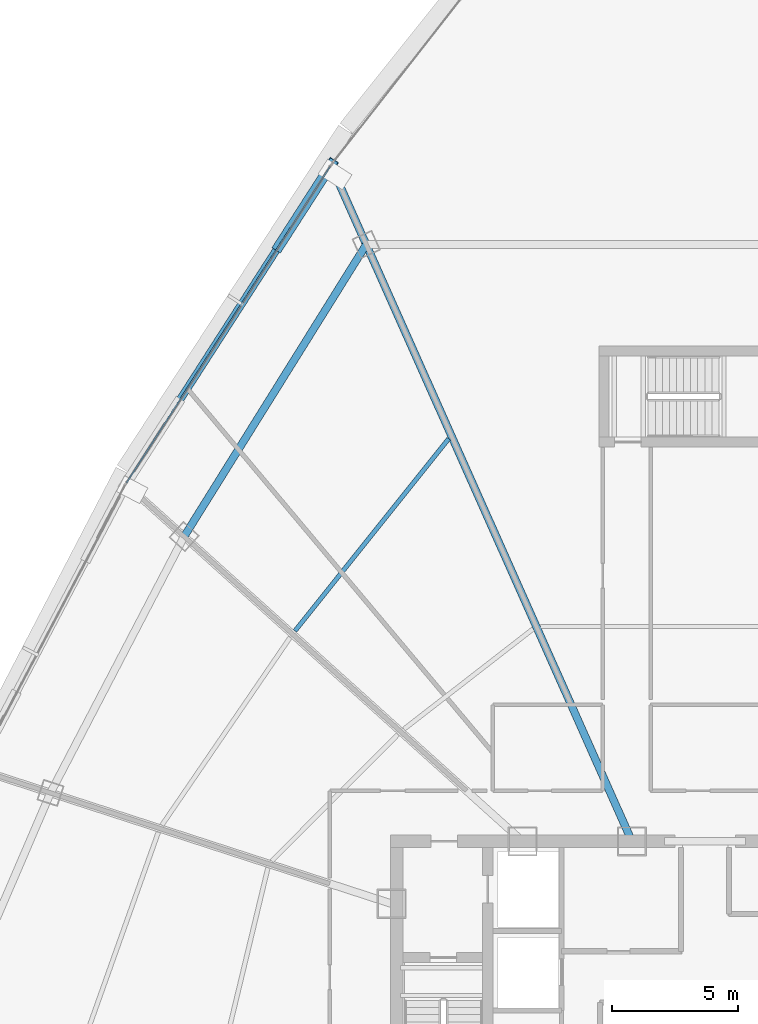
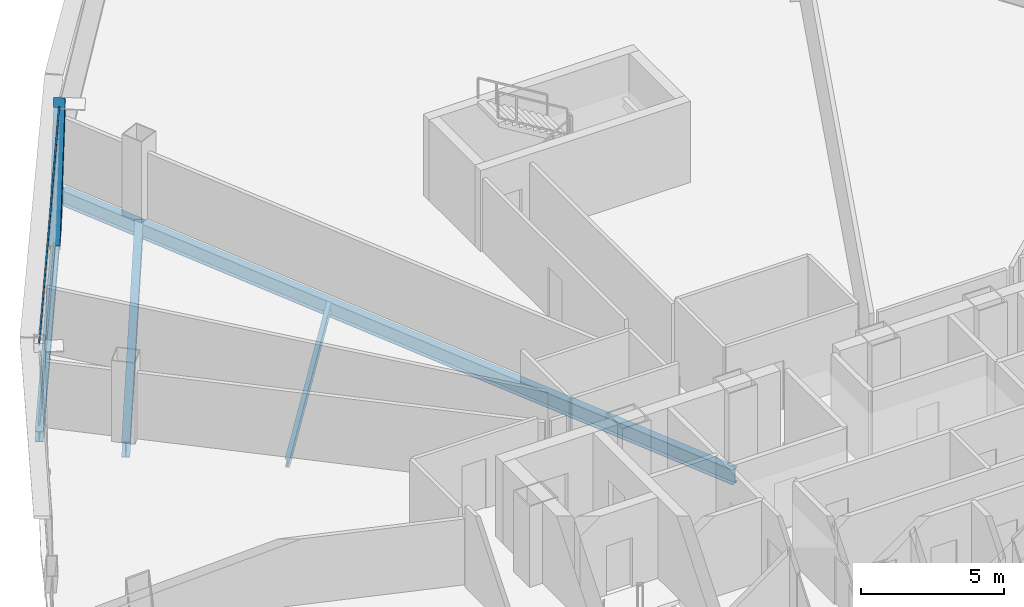
# One storey, part 15 of 35: 4 beams, 3 members, 1 element without a shape of its own.
"""IFC4 building model written with IfcOpenShell, lengths in metres."""

from ifc_helpers import new_model, si_unit, direction, frame, origin, origin_2d, place, context, subcontext, project, spatial, hollow_rectangle, i_section, extrude, source, transform, mapped, material, layer, layer_set, material_profile, profile_set, type_object, element, aggregate, save


model = new_model("IFC4")

# Units and contexts
model_context = context("Model", 3, precision=1e-05, world=origin(), true_north=direction((0.0, 1.0)))
body_context = subcontext(model_context, "Body", "Model", "MODEL_VIEW")
ifc_project = project(units=[si_unit("LENGTHUNIT", "METRE"), si_unit("AREAUNIT", "SQUARE_METRE"), si_unit("VOLUMEUNIT", "CUBIC_METRE"), si_unit("PLANEANGLEUNIT", "RADIAN"), si_unit("MASSUNIT", "GRAM", prefix="KILO"), si_unit("THERMODYNAMICTEMPERATUREUNIT", "KELVIN"), si_unit("POWERUNIT", "WATT")], contexts=[model_context])

# Site, building, storey
site_placement = place(None, origin())
site = spatial("IfcSite", under=ifc_project, at=site_placement, CompositionType="ELEMENT")
building_placement = place(site_placement, origin())
building = spatial("IfcBuilding", under=site, at=building_placement, Name="Yunzhuo Pagoda Commons", CompositionType="ELEMENT")
storey_placement = place(building_placement, frame((0.0, 0.0, 237.070068359375)))
storey = spatial("IfcBuildingStorey", under=building, at=storey_placement, Name="L59", CompositionType="ELEMENT", Elevation=237.070068359375)

# Beams
ifc_material_1 = material(Name="Structural steel Q355B", Category="steel")
ifc_material_profile_1 = material_profile(ifc_material_1, i_section(OverallWidth=0.300048828125, OverallDepth=0.43994140625, WebThickness=0.010986328125, FlangeThickness=0.01806640625, at=origin_2d()), Name="Structural steel Q355B")
ifc_profile_set_1 = profile_set([ifc_material_profile_1], Name="Structural steel Q355B")
beam_type_1 = type_object("IfcBeamType", Name="B-SP2 Beam HM 440x300x11x18", PredefinedType="BEAM", material=ifc_profile_set_1)
shared_shape_1 = source(origin(), body_context, "Body", "SweptSolid", [
    extrude(i_section(OverallWidth=0.300048828125, OverallDepth=0.43994140625, WebThickness=0.010986328125, FlangeThickness=0.01806640625, at=origin_2d()), origin(), (0.0, 0.0, 1.0), 14.9970703125),
])
beam_1_placement = place(storey_placement, frame((33.197265625, 66.947998046875, -0.47998046875), z_axis=(-0.541345740503, -0.840800088748, 0.0), x_axis=(0.840800088748, -0.541345740503, 0.0)))
element("IfcBeam", 1, at=beam_1_placement, inside=storey, type_object=beam_type_1, Name="L59 facade edge spandrel beam F3.1", PredefinedType="BEAM", context=body_context, shape_type="MappedRepresentation", body=[
    mapped(shared_shape_1, transform((0.0, 0.0, 0.0), scale=1.0)),
])
ifc_material_profile_2 = material_profile(ifc_material_1, i_section(OverallWidth=0.300048828125, OverallDepth=0.64990234375, WebThickness=0.012939453125, FlangeThickness=0.02197265625, at=origin_2d()), Name="Structural steel Q355B")
ifc_profile_set_2 = profile_set([ifc_material_profile_2], Name="Structural steel Q355B")
beam_type_2 = type_object("IfcBeamType", Name="B-RG2 Beam HN 650x300x13x22", PredefinedType="BEAM", material=ifc_profile_set_2)
shared_shape_2 = source(origin(), body_context, "Body", "SweptSolid", [
    extrude(i_section(OverallWidth=0.300048828125, OverallDepth=0.64990234375, WebThickness=0.012939453125, FlangeThickness=0.02197265625, at=origin_2d()), origin(), (0.0, 0.0, 1.0), 13.615478515625),
])
beam_2_placement = place(storey_placement, frame((34.59326171875, 63.81201171875, -0.5849609375), z_axis=(-0.529178300485, -0.848510651846, 0.0), x_axis=(0.848510651846, -0.529178300485, 0.0)))
element("IfcBeam", 2, at=beam_2_placement, inside=storey, type_object=beam_type_2, Name="L59 column-ring beam 9", PredefinedType="BEAM", context=body_context, shape_type="MappedRepresentation", body=[
    mapped(shared_shape_2, transform((0.0, 0.0, 0.0), scale=1.0)),
])
shared_shape_3 = source(origin(), body_context, "Body", "SweptSolid", [
    extrude(i_section(OverallWidth=0.300048828125, OverallDepth=0.64990234375, WebThickness=0.012939453125, FlangeThickness=0.02197265625, at=origin_2d()), origin(), (0.0, 0.0, 1.0), 29.12451171875),
])
beam_3_placement = place(storey_placement, frame((33.260009765625, 66.806640625, -0.5849609375), z_axis=(0.406733373538, -0.913546913328, 0.0), x_axis=(0.913546913328, 0.406733373538, 0.0)))
element("IfcBeam", 3, at=beam_3_placement, inside=storey, type_object=beam_type_2, Name="L59 radial floor girder F3C1", PredefinedType="BEAM", context=body_context, shape_type="MappedRepresentation", body=[
    mapped(shared_shape_3, transform((0.0, 0.0, 0.0), scale=1.0)),
])
ifc_material_profile_3 = material_profile(ifc_material_1, i_section(OverallWidth=0.175048828125, OverallDepth=0.35009765625, WebThickness=0.007080078125, FlangeThickness=0.010986328125, at=origin_2d()), Name="Structural steel Q355B")
ifc_profile_set_3 = profile_set([ifc_material_profile_3], Name="Structural steel Q355B")
beam_type_3 = type_object("IfcBeamType", Name="B-JS2 Joist HN 350x175x7x11", PredefinedType="JOIST", material=ifc_profile_set_3)
shared_shape_4 = source(origin(), body_context, "Body", "SweptSolid", [
    extrude(i_section(OverallWidth=0.175048828125, OverallDepth=0.35009765625, WebThickness=0.007080078125, FlangeThickness=0.010986328125, at=origin_2d()), origin(), (0.0, 0.0, 1.0), 9.741455078125),
])
beam_4_placement = place(storey_placement, frame((37.85791015625, 56.1318359375, -0.43505859375), z_axis=(-0.624618636222, -0.780929932378, 0.0), x_axis=(0.780929932378, -0.624618636222, 0.0)))
element("IfcBeam", 4, at=beam_4_placement, inside=storey, type_object=beam_type_3, Name="L59 composite ring joist 2.9", PredefinedType="JOIST", context=body_context, shape_type="MappedRepresentation", body=[
    mapped(shared_shape_4, transform((0.0, 0.0, 0.0), scale=1.0)),
])

# Member
ifc_material_profile_4 = material_profile(ifc_material_1, hollow_rectangle(XDim=0.39990234375, YDim=0.719970703125, WallThickness=0.02392578125, at=origin_2d()), Name="Structural steel Q355B")
ifc_profile_set_4 = profile_set([ifc_material_profile_4], Name="Structural steel Q355B")
member_type_1 = type_object("IfcMemberType", Name="M-DL2 Brace BOX 720x400x24", PredefinedType="BRACE", material=ifc_profile_set_4)
shared_shape_5 = source(origin(), body_context, "Body", "SweptSolid", [
    extrude(hollow_rectangle(XDim=0.39990234375, YDim=0.719970703125, WallThickness=0.02392578125, at=origin_2d()), origin(), (0.0, 0.0, 1.0), 5.28857421875),
])
member_1_placement = place(storey_placement, frame((31.167724609375, 63.795654296875, -0.260009765625), z_axis=(0.383759271074, 0.596066366909, 0.705289804339), x_axis=(-0.840810137559, 0.541330132708, 0.0)))
element("IfcMember", 5, at=member_1_placement, inside=storey, type_object=member_type_1, Name="L59 facade diamond brace F3.1L", PredefinedType="BRACE", context=body_context, shape_type="MappedRepresentation", body=[
    mapped(shared_shape_5, transform((0.0, 0.0, 0.0), scale=1.0)),
])

# Curtain wall, members
ifc_material_2 = material(Name="Anodized aluminium 6063-T6", Category="aluminium")
ifc_layer = layer(ifc_material_2, 0.139892578125)
ifc_layer_set = layer_set([ifc_layer], Name="Anodized aluminium 6063-T6")
curtain_wall_type = type_object("IfcCurtainWallType", Name="CW-HI High-Zone Ribbon Curtain Wall", PredefinedType="NOTDEFINED", material=ifc_layer_set)
curtain_wall_placement = place(storey_placement, origin())
curtain_wall = element("IfcCurtainWall", 6, at=curtain_wall_placement, inside=storey, type_object=curtain_wall_type, Name="L59 curtain wall CW-L59-F3B2", PredefinedType="NOTDEFINED")
ifc_material_profile_5 = material_profile(ifc_material_2, hollow_rectangle(XDim=0.054931640625, YDim=0.1201171875, WallThickness=0.00341796875, at=origin_2d()), Name="Anodized aluminium 6063-T6")
ifc_profile_set_5 = profile_set([ifc_material_profile_5], Name="Anodized aluminium 6063-T6")
member_type_2 = type_object("IfcMemberType", Name="CW-HI-T Transom RHS 120x55x3.5", PredefinedType="USERDEFINED", material=ifc_profile_set_5)
shared_shape_6 = source(origin(), body_context, "Body", "SweptSolid", [
    extrude(hollow_rectangle(XDim=0.054931640625, YDim=0.1201171875, WallThickness=0.00341796875, at=origin_2d()), origin(), (0.0, 0.0, 1.0), 14.877197265625),
])
member_2_placement = place(storey_placement, frame((33.16455078125, 66.897705078125, 0.02734375), z_axis=(-0.541333076232, -0.840808242453, 0.0), x_axis=(0.840808242453, -0.541333076232, 0.0)))
member_2 = element("IfcMember", 7, at=member_2_placement, type_object=member_type_2, Name="CW transom 1.1", ObjectType="TRANSOM", PredefinedType="USERDEFINED", context=body_context, shape_type="MappedRepresentation", body=[
    mapped(shared_shape_6, transform((0.0, 0.0, 0.0), scale=1.0)),
])
member_3_placement = place(storey_placement, frame((33.16455078125, 66.897705078125, 3.4423828125), z_axis=(-0.541333076232, -0.840808242453, 0.0), x_axis=(0.840808242453, -0.541333076232, 0.0)))
member_3 = element("IfcMember", 8, at=member_3_placement, type_object=member_type_2, Name="CW transom 1.2", ObjectType="TRANSOM", PredefinedType="USERDEFINED", context=body_context, shape_type="MappedRepresentation", body=[
    mapped(shared_shape_6, transform((0.0, 0.0, 0.0), scale=1.0)),
])
aggregate(curtain_wall, [member_2, member_3])

save(model, "model.ifc")
